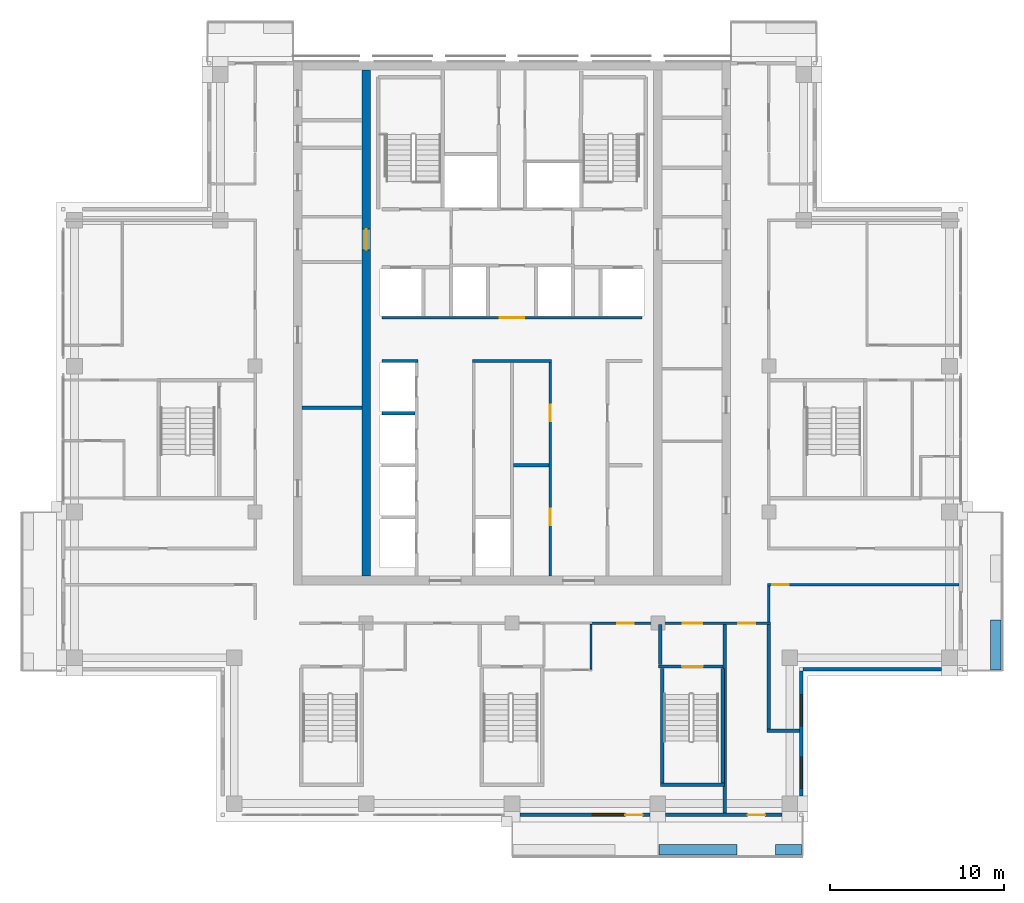
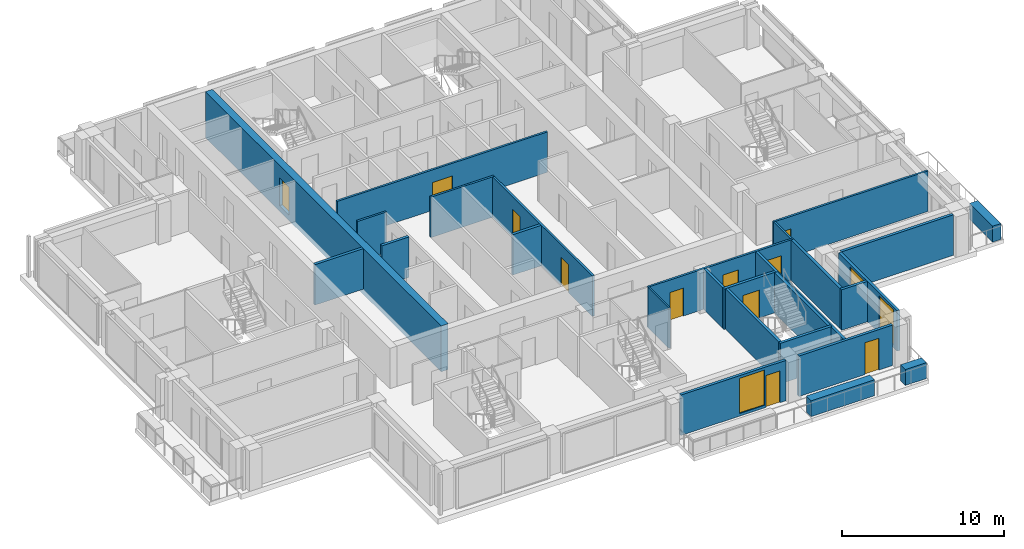
# One storey, part 10 of 17: 27 walls, 11 doors, 3 windows, 14 openings.
"""IFC4 building model written with IfcOpenShell, lengths in metres."""

from ifc_helpers import new_model, si_unit, direction, frame, frame_2d, origin, place, context, subcontext, project, spatial, rectangle, extrude, material, layer, layer_set, type_object, element, fill, save


model = new_model("IFC4")

# Units and contexts
model_context = context("Model", 3, precision=1e-05, world=origin(), true_north=direction((0.0, 1.0)))
body_context = subcontext(model_context, "Body", "Model", "MODEL_VIEW")
ifc_project = project(units=[si_unit("LENGTHUNIT", "METRE"), si_unit("AREAUNIT", "SQUARE_METRE"), si_unit("VOLUMEUNIT", "CUBIC_METRE"), si_unit("PLANEANGLEUNIT", "RADIAN"), si_unit("MASSUNIT", "GRAM", prefix="KILO")], contexts=[model_context])

# Site, building, storey
site_placement = place(None, origin())
site = spatial("IfcSite", under=ifc_project, at=site_placement, CompositionType="ELEMENT")
building_placement = place(site_placement, origin())
building = spatial("IfcBuilding", under=site, at=building_placement, Name="Vermilion Ogive Tower", CompositionType="ELEMENT")
storey_placement = place(building_placement, frame((0.0, 0.0, 257.949951171875)))
storey = spatial("IfcBuildingStorey", under=building, at=storey_placement, Name="L68", CompositionType="ELEMENT", Elevation=257.949951171875)

# Wall, opening, door
ifc_material_1 = material(Name="Concrete B60", Category="concrete")
ifc_layer_1 = layer(ifc_material_1, 0.5)
ifc_layer_set_1 = layer_set([ifc_layer_1], Name="Core wall 500 B60")
wall_type_1 = type_object("IfcWallType", Name="Core wall 500 B60", PredefinedType="SHEAR", material=ifc_layer_set_1)
wall_1_placement = place(storey_placement, frame((-8.39990234375, -7.89990234375, -0.39990234375), z_axis=(0.0, 0.0, 1.0), x_axis=(0.0, 1.0, 0.0)))
wall_1 = element("IfcWall", 1, at=wall_1_placement, inside=storey, type_object=wall_type_1, Name="L68-CORE-WEB1", PredefinedType="SHEAR", context=body_context, shape_type="SweptSolid", body=[
    extrude(rectangle(XDim=29.14990234375, YDim=0.5, at=frame_2d((14.574951171875, 0.0))), origin(), (0.0, 0.0, 1.0), 3.449951171875),
])
opening_1_placement = place(wall_1_placement, frame((18.800048828125, 0.0, 0.39990234375)))
opening_1 = element("IfcOpeningElement", 2, at=opening_1_placement, cuts=wall_1, Name="Opening DAP023", PredefinedType="OPENING", context=body_context, shape_type="SweptSolid", body=[
    extrude(rectangle(XDim=1.199951171875, YDim=2.10009765625, at=frame_2d((0.60009765625, 1.050048828125))), frame((0.0, 0.260009765625, 0.0), z_axis=(0.0, -1.0, 0.0), x_axis=(1.0, 0.0, 0.0)), (0.0, 0.0, 1.0), 0.52001953125),
])
ifc_material_2 = material(Name="Timber door leaf", Category="wood")
door_type_1 = type_object("IfcDoorType", Name="Link door 1200 x 2100 FD60S", OperationType="SINGLE_SWING_LEFT", PredefinedType="DOOR", material=ifc_material_2)
door_1_placement = place(opening_1_placement, origin())
door_1 = element("IfcDoor", 3, at=door_1_placement, inside=storey, type_object=door_type_1, Name="L68-CKW-XW", OperationType="SINGLE_SWING_LEFT", OverallHeight=2.10009765625, OverallWidth=1.199951171875, PredefinedType="DOOR", context=body_context, shape_type="SweptSolid", body=[
    extrude(rectangle(XDim=1.199951171875, YDim=2.10009765625, at=frame_2d((0.60009765625, 1.050048828125))), frame((0.0, 0.02490234375, 0.0), z_axis=(0.0, -1.0, 0.0), x_axis=(1.0, 0.0, 0.0)), (0.0, 0.0, 1.0), 0.050048828125),
])
fill(opening_1, door_1)

# Wall
ifc_material_3 = material(Name="Gypsum board partition on steel studs", Category="steel")
ifc_layer_2 = layer(ifc_material_3, 0.10009765625)
ifc_layer_set_2 = layer_set([ifc_layer_2], Name="Partition 100 bath")
wall_type_2 = type_object("IfcWallType", Name="Partition 100 bath", PredefinedType="PARTITIONING", material=ifc_layer_set_2)
wall_2_placement = place(storey_placement, frame((4.550048828125, -13.248046875, 0.0), z_axis=(0.0, 0.0, 1.0), x_axis=(0.0, 1.0, 0.0)))
element("IfcWall", 4, at=wall_2_placement, inside=storey, type_object=wall_type_2, Name="L68-W-W052", PredefinedType="PARTITIONING", context=body_context, shape_type="SweptSolid", body=[
    extrude(rectangle(XDim=2.572998046875, YDim=0.10009765625, at=frame_2d((1.28662109375, 0.0))), origin(), (0.0, 0.0, 1.0), 3.050048828125),
])

# Wall, openings, doors
ifc_material_4 = material(Name="Gypsum board partition on steel studs", Category="steel")
ifc_layer_3 = layer(ifc_material_4, 0.14990234375)
ifc_layer_set_3 = layer_set([ifc_layer_3], Name="Partition 150 corridor")
wall_type_3 = type_object("IfcWallType", Name="Partition 150 corridor", PredefinedType="PARTITIONING", material=ifc_layer_set_3)
wall_3_placement = place(storey_placement, frame((4.5, -10.60009765625, 0.0), z_axis=(0.0, 0.0, 1.0), x_axis=(1.0, 0.0, 0.0)))
wall_3 = element("IfcWall", 5, at=wall_3_placement, inside=storey, type_object=wall_type_3, Name="L68-W-W012", PredefinedType="PARTITIONING", context=body_context, shape_type="SweptSolid", body=[
    extrude(rectangle(XDim=10.39990234375, YDim=0.14990234375, at=frame_2d((5.199951171875, 0.0))), origin(), (0.0, 0.0, 1.0), 3.050048828125),
])
opening_2_placement = place(wall_3_placement, frame((1.574951171875, 0.0, 0.0)))
opening_2 = element("IfcOpeningElement", 6, at=opening_2_placement, cuts=wall_3, Name="Opening D5G5011", PredefinedType="OPENING", context=body_context, shape_type="SweptSolid", body=[
    extrude(rectangle(XDim=0.949951171875, YDim=2.10009765625, at=frame_2d((0.47509765625, 1.050048828125))), frame((0.0, 0.0849609375, 0.0), z_axis=(0.0, -1.0, 0.0), x_axis=(1.0, 0.0, 0.0)), (0.0, 0.0, 1.0), 0.169921875),
])
opening_3_placement = place(wall_3_placement, frame((5.35009765625, 0.0, 0.0)))
opening_3 = element("IfcOpeningElement", 7, at=opening_3_placement, cuts=wall_3, Name="Opening D5G5025", PredefinedType="OPENING", context=body_context, shape_type="SweptSolid", body=[
    extrude(rectangle(XDim=1.10009765625, YDim=2.10009765625, at=frame_2d((0.550048828125, 1.050048828125))), frame((0.0, 0.0849609375, 0.0), z_axis=(0.0, -1.0, 0.0), x_axis=(1.0, 0.0, 0.0)), (0.0, 0.0, 1.0), 0.169921875),
])
opening_4_placement = place(wall_3_placement, frame((8.52490234375, 0.0, 0.0)))
opening_4 = element("IfcOpeningElement", 8, at=opening_4_placement, cuts=wall_3, Name="Opening D5G5031", PredefinedType="OPENING", context=body_context, shape_type="SweptSolid", body=[
    extrude(rectangle(XDim=1.0, YDim=2.10009765625, at=frame_2d((0.5, 1.050048828125))), frame((0.0, 0.0849609375, 0.0), z_axis=(0.0, -1.0, 0.0), x_axis=(1.0, 0.0, 0.0)), (0.0, 0.0, 1.0), 0.169921875),
])
ifc_material_5 = material(Name="Timber door leaf", Category="wood")
door_type_2 = type_object("IfcDoorType", Name="Stair door 1100 x 2100 FD60S", OperationType="SINGLE_SWING_LEFT", PredefinedType="DOOR", material=ifc_material_5)
door_2_placement = place(opening_3_placement, origin())
door_2 = element("IfcDoor", 9, at=door_2_placement, inside=storey, type_object=door_type_2, Name="L68-D-D025", OperationType="SINGLE_SWING_LEFT", OverallHeight=2.10009765625, OverallWidth=1.10009765625, PredefinedType="DOOR", context=body_context, shape_type="SweptSolid", body=[
    extrude(rectangle(XDim=1.10009765625, YDim=2.10009765625, at=frame_2d((0.550048828125, 1.050048828125))), frame((0.0, 0.02490234375, 0.0), z_axis=(0.0, -1.0, 0.0), x_axis=(1.0, 0.0, 0.0)), (0.0, 0.0, 1.0), 0.050048828125),
])
fill(opening_3, door_2)
ifc_material_6 = material(Name="Timber door leaf", Category="wood")
door_type_3 = type_object("IfcDoorType", Name="Unit door 1000 x 2100 FD30S", OperationType="SINGLE_SWING_LEFT", PredefinedType="DOOR", material=ifc_material_6)
door_3_placement = place(opening_4_placement, origin())
door_3 = element("IfcDoor", 10, at=door_3_placement, inside=storey, type_object=door_type_3, Name="L68-D-D031", OperationType="SINGLE_SWING_LEFT", OverallHeight=2.10009765625, OverallWidth=1.0, PredefinedType="DOOR", context=body_context, shape_type="SweptSolid", body=[
    extrude(rectangle(XDim=1.0, YDim=2.10009765625, at=frame_2d((0.5, 1.050048828125))), frame((0.0, 0.02490234375, 0.0), z_axis=(0.0, -1.0, 0.0), x_axis=(1.0, 0.0, 0.0)), (0.0, 0.0, 1.0), 0.050048828125),
])
fill(opening_4, door_3)
ifc_material_7 = material(Name="Timber door leaf", Category="wood")
door_type_4 = type_object("IfcDoorType", Name="Unit door 950 x 2100 FD30S", OperationType="SINGLE_SWING_LEFT", PredefinedType="DOOR", material=ifc_material_7)
door_4_placement = place(opening_2_placement, origin())
door_4 = element("IfcDoor", 11, at=door_4_placement, inside=storey, type_object=door_type_4, Name="L68-D-D011", OperationType="SINGLE_SWING_LEFT", OverallHeight=2.10009765625, OverallWidth=0.949951171875, PredefinedType="DOOR", context=body_context, shape_type="SweptSolid", body=[
    extrude(rectangle(XDim=0.949951171875, YDim=2.10009765625, at=frame_2d((0.47509765625, 1.050048828125))), frame((0.0, 0.02490234375, 0.0), z_axis=(0.0, -1.0, 0.0), x_axis=(1.0, 0.0, 0.0)), (0.0, 0.0, 1.0), 0.050048828125),
])
fill(opening_2, door_4)

# Wall, opening, door
wall_4_placement = place(storey_placement, frame((14.72509765625, -8.39990234375, 0.0), z_axis=(0.0, 0.0, 1.0), x_axis=(1.0, 0.0, 0.0)))
wall_4 = element("IfcWall", 12, at=wall_4_placement, inside=storey, type_object=wall_type_3, Name="L68-W-W015", PredefinedType="PARTITIONING", context=body_context, shape_type="SweptSolid", body=[
    extrude(rectangle(XDim=11.02490234375, YDim=0.14990234375, at=frame_2d((5.512451171875, 0.0))), origin(), (0.0, 0.0, 1.0), 3.050048828125),
])
opening_5_placement = place(wall_4_placement, frame((0.27490234375, 0.0, 0.0)))
opening_5 = element("IfcOpeningElement", 13, at=opening_5_placement, cuts=wall_4, Name="Opening D5G5013", PredefinedType="OPENING", context=body_context, shape_type="SweptSolid", body=[
    extrude(rectangle(XDim=0.949951171875, YDim=2.10009765625, at=frame_2d((0.47509765625, 1.050048828125))), frame((0.0, 0.0849609375, 0.0), z_axis=(0.0, -1.0, 0.0), x_axis=(1.0, 0.0, 0.0)), (0.0, 0.0, 1.0), 0.169921875),
])
door_5_placement = place(opening_5_placement, origin())
door_5 = element("IfcDoor", 14, at=door_5_placement, inside=storey, type_object=door_type_4, Name="L68-D-D013", OperationType="SINGLE_SWING_RIGHT", OverallHeight=2.10009765625, OverallWidth=0.949951171875, PredefinedType="DOOR", context=body_context, shape_type="SweptSolid", body=[
    extrude(rectangle(XDim=0.949951171875, YDim=2.10009765625, at=frame_2d((0.47509765625, 1.050048828125))), frame((0.0, 0.02490234375, 0.0), z_axis=(0.0, -1.0, 0.0), x_axis=(1.0, 0.0, 0.0)), (0.0, 0.0, 1.0), 0.050048828125),
])
fill(opening_5, door_5)

# Walls
wall_5_placement = place(storey_placement, frame((14.800048828125, -10.52490234375, 0.0), z_axis=(0.0, 0.0, 1.0), x_axis=(0.0, 1.0, 0.0)))
element("IfcWall", 15, at=wall_5_placement, inside=storey, type_object=wall_type_3, Name="L68-W-W058", PredefinedType="PARTITIONING", context=body_context, shape_type="SweptSolid", body=[
    extrude(rectangle(XDim=2.0498046875, YDim=0.14990234375, at=frame_2d((1.02490234375, 0.0))), origin(), (0.0, 0.0, 1.0), 3.050048828125),
])
wall_6_placement = place(storey_placement, frame((-7.5, 4.5, 0.0), z_axis=(0.0, 0.0, 1.0), x_axis=(1.0, 0.0, 0.0)))
element("IfcWall", 16, at=wall_6_placement, inside=storey, type_object=wall_type_3, Name="L68-CK-W-W007", PredefinedType="PARTITIONING", context=body_context, shape_type="SweptSolid", body=[
    extrude(rectangle(XDim=2.074951171875, YDim=0.14990234375, at=frame_2d((1.03759765625, 0.0))), origin(), (0.0, 0.0, 1.0), 3.050048828125),
])
wall_7_placement = place(storey_placement, frame((-2.27490234375, 4.5, 0.0), z_axis=(0.0, 0.0, 1.0), x_axis=(1.0, 0.0, 0.0)))
element("IfcWall", 17, at=wall_7_placement, inside=storey, type_object=wall_type_3, Name="L68-CK-W-W008", PredefinedType="PARTITIONING", context=body_context, shape_type="SweptSolid", body=[
    extrude(rectangle(XDim=4.5498046875, YDim=0.14990234375, at=frame_2d((2.27490234375, 0.0))), origin(), (0.0, 0.0, 1.0), 3.050048828125),
])

# Wall, opening, door
wall_8_placement = place(storey_placement, frame((-7.5, 7.0, 0.0), z_axis=(0.0, 0.0, 1.0), x_axis=(1.0, 0.0, 0.0)))
wall_8 = element("IfcWall", 18, at=wall_8_placement, inside=storey, type_object=wall_type_3, Name="L68-CK-W-W010", PredefinedType="PARTITIONING", context=body_context, shape_type="SweptSolid", body=[
    extrude(rectangle(XDim=15.0, YDim=0.14990234375, at=frame_2d((7.5, 0.0))), origin(), (0.0, 0.0, 1.0), 3.050048828125),
])
opening_6_placement = place(wall_8_placement, frame((6.800048828125, 0.0, 0.0)))
opening_6 = element("IfcOpeningElement", 19, at=opening_6_placement, cuts=wall_8, Name="Opening DAA635", PredefinedType="OPENING", context=body_context, shape_type="SweptSolid", body=[
    extrude(rectangle(XDim=1.39990234375, YDim=2.10009765625, at=frame_2d((0.699951171875, 1.050048828125))), frame((0.0, 0.0849609375, 0.0), z_axis=(0.0, -1.0, 0.0), x_axis=(1.0, 0.0, 0.0)), (0.0, 0.0, 1.0), 0.169921875),
])
ifc_material_8 = material(Name="Timber door leaf", Category="wood")
door_type_5 = type_object("IfcDoorType", Name="Lobby door 1400 x 2100 FD60S", OperationType="SINGLE_SWING_LEFT", PredefinedType="DOOR", material=ifc_material_8)
door_6_placement = place(opening_6_placement, origin())
door_6 = element("IfcDoor", 20, at=door_6_placement, inside=storey, type_object=door_type_5, Name="L68-CK-D-D015", OperationType="SINGLE_SWING_RIGHT", OverallHeight=2.10009765625, OverallWidth=1.39990234375, PredefinedType="DOOR", context=body_context, shape_type="SweptSolid", body=[
    extrude(rectangle(XDim=1.39990234375, YDim=2.10009765625, at=frame_2d((0.699951171875, 1.050048828125))), frame((0.0, 0.02490234375, 0.0), z_axis=(0.0, -1.0, 0.0), x_axis=(1.0, 0.0, 0.0)), (0.0, 0.0, 1.0), 0.050048828125),
])
fill(opening_6, door_6)

# Wall, openings, doors
wall_9_placement = place(storey_placement, frame((2.199951171875, -7.89892578125, 0.0), z_axis=(0.0, 0.0, 1.0), x_axis=(0.0, 1.0, 0.0)))
wall_9 = element("IfcWall", 21, at=wall_9_placement, inside=storey, type_object=wall_type_3, Name="L68-CK-W-W031", PredefinedType="PARTITIONING", context=body_context, shape_type="SweptSolid", body=[
    extrude(rectangle(XDim=12.323974609375, YDim=0.14990234375, at=frame_2d((6.162109375, 0.0))), origin(), (0.0, 0.0, 1.0), 3.050048828125),
])
opening_7_placement = place(wall_9_placement, frame((2.923828125, 0.0, 0.0)))
opening_7 = element("IfcOpeningElement", 22, at=opening_7_placement, cuts=wall_9, Name="Opening DAA639", PredefinedType="OPENING", context=body_context, shape_type="SweptSolid", body=[
    extrude(rectangle(XDim=0.949951171875, YDim=2.10009765625, at=frame_2d((0.47509765625, 1.050048828125))), frame((0.0, 0.0849609375, 0.0), z_axis=(0.0, -1.0, 0.0), x_axis=(1.0, 0.0, 0.0)), (0.0, 0.0, 1.0), 0.169921875),
])
opening_8_placement = place(wall_9_placement, frame((8.923828125, 0.0, 0.0)))
opening_8 = element("IfcOpeningElement", 23, at=opening_8_placement, cuts=wall_9, Name="Opening DAA640", PredefinedType="OPENING", context=body_context, shape_type="SweptSolid", body=[
    extrude(rectangle(XDim=0.949951171875, YDim=2.10009765625, at=frame_2d((0.47509765625, 1.050048828125))), frame((0.0, 0.0849609375, 0.0), z_axis=(0.0, -1.0, 0.0), x_axis=(1.0, 0.0, 0.0)), (0.0, 0.0, 1.0), 0.169921875),
])
ifc_material_9 = material(Name="Timber door leaf", Category="wood")
door_type_6 = type_object("IfcDoorType", Name="Service door 950 x 2100 FD60", OperationType="SINGLE_SWING_LEFT", PredefinedType="DOOR", material=ifc_material_9)
door_7_placement = place(opening_7_placement, origin())
door_7 = element("IfcDoor", 24, at=door_7_placement, inside=storey, type_object=door_type_6, Name="L68-CK-D-D007", OperationType="SINGLE_SWING_RIGHT", OverallHeight=2.10009765625, OverallWidth=0.949951171875, PredefinedType="DOOR", context=body_context, shape_type="SweptSolid", body=[
    extrude(rectangle(XDim=0.949951171875, YDim=2.10009765625, at=frame_2d((0.47509765625, 1.050048828125))), frame((0.0, 0.02490234375, 0.0), z_axis=(0.0, -1.0, 0.0), x_axis=(1.0, 0.0, 0.0)), (0.0, 0.0, 1.0), 0.050048828125),
])
fill(opening_7, door_7)
door_8_placement = place(opening_8_placement, origin())
door_8 = element("IfcDoor", 25, at=door_8_placement, inside=storey, type_object=door_type_6, Name="L68-CK-D-D008", OperationType="SINGLE_SWING_RIGHT", OverallHeight=2.10009765625, OverallWidth=0.949951171875, PredefinedType="DOOR", context=body_context, shape_type="SweptSolid", body=[
    extrude(rectangle(XDim=0.949951171875, YDim=2.10009765625, at=frame_2d((0.47509765625, 1.050048828125))), frame((0.0, 0.02490234375, 0.0), z_axis=(0.0, -1.0, 0.0), x_axis=(1.0, 0.0, 0.0)), (0.0, 0.0, 1.0), 0.050048828125),
])
fill(opening_8, door_8)

# Walls
ifc_material_10 = material(Name="Gypsum board partition on steel studs", Category="steel")
ifc_layer_4 = layer(ifc_material_10, 0.199951171875)
ifc_layer_set_4 = layer_set([ifc_layer_4], Name="Partition 200 party")
wall_type_4 = type_object("IfcWallType", Name="Partition 200 party", PredefinedType="PARTITIONING", material=ifc_layer_set_4)
wall_10_placement = place(storey_placement, frame((14.701904296875, -16.800048828125, 0.0), z_axis=(0.0, 0.0, 1.0), x_axis=(1.0, 0.0, 0.0)))
element("IfcWall", 26, at=wall_10_placement, inside=storey, type_object=wall_type_4, Name="L68-W-W002", PredefinedType="PARTITIONING", context=body_context, shape_type="SweptSolid", body=[
    extrude(rectangle(XDim=1.84814453125, YDim=0.199951171875, at=frame_2d((0.924072265625, 0.0))), origin(), (0.0, 0.0, 1.0), 3.050048828125),
])
wall_11_placement = place(storey_placement, frame((8.550048828125, -12.998046875, 0.0), z_axis=(0.0, 0.0, 1.0), x_axis=(0.0, 1.0, 0.0)))
element("IfcWall", 27, at=wall_11_placement, inside=storey, type_object=wall_type_4, Name="L68-W-W053", PredefinedType="PARTITIONING", context=body_context, shape_type="SweptSolid", body=[
    extrude(rectangle(XDim=2.322998046875, YDim=0.199951171875, at=frame_2d((1.16162109375, 0.0))), origin(), (0.0, 0.0, 1.0), 3.050048828125),
])
wall_12_placement = place(storey_placement, frame((14.800048828125, -16.697998046875, 0.0), z_axis=(0.0, 0.0, 1.0), x_axis=(0.0, 1.0, 0.0)))
element("IfcWall", 28, at=wall_12_placement, inside=storey, type_object=wall_type_4, Name="L68-W-W057", PredefinedType="PARTITIONING", context=body_context, shape_type="SweptSolid", body=[
    extrude(rectangle(XDim=6.02294921875, YDim=0.199951171875, at=frame_2d((3.011474609375, 0.0))), origin(), (0.0, 0.0, 1.0), 3.050048828125),
])
wall_13_placement = place(storey_placement, frame((0.10009765625, -1.5, 0.0), z_axis=(0.0, 0.0, 1.0), x_axis=(1.0, 0.0, 0.0)))
element("IfcWall", 29, at=wall_13_placement, inside=storey, type_object=wall_type_4, Name="L68-CK-W-W004", PredefinedType="PARTITIONING", context=body_context, shape_type="SweptSolid", body=[
    extrude(rectangle(XDim=2.02490234375, YDim=0.199951171875, at=frame_2d((1.012451171875, 0.0))), origin(), (0.0, 0.0, 1.0), 3.050048828125),
])
wall_14_placement = place(storey_placement, frame((-7.5, 1.5, 0.0), z_axis=(0.0, 0.0, 1.0), x_axis=(1.0, 0.0, 0.0)))
element("IfcWall", 30, at=wall_14_placement, inside=storey, type_object=wall_type_4, Name="L68-CK-W-W006", PredefinedType="PARTITIONING", context=body_context, shape_type="SweptSolid", body=[
    extrude(rectangle(XDim=1.925048828125, YDim=0.199951171875, at=frame_2d((0.96240234375, 0.0))), origin(), (0.0, 0.0, 1.0), 3.050048828125),
])
wall_15_placement = place(storey_placement, frame((-12.09912109375, 1.81591796875, 0.0), z_axis=(0.0, 0.0, 1.0), x_axis=(1.0, 0.0, 0.0)))
element("IfcWall", 31, at=wall_15_placement, inside=storey, type_object=wall_type_4, Name="L68-CKW-W-W001", PredefinedType="PARTITIONING", context=body_context, shape_type="SweptSolid", body=[
    extrude(rectangle(XDim=3.4482421875, YDim=0.199951171875, at=frame_2d((1.72412109375, 0.0))), origin(), (0.0, 0.0, 1.0), 3.050048828125),
])
ifc_material_11 = material(Name="Concrete B60", Category="concrete")
ifc_layer_5 = layer(ifc_material_11, 0.199951171875)
ifc_layer_set_5 = layer_set([ifc_layer_5], Name="Stair shaft wall 200 Concrete B60")
wall_type_5 = type_object("IfcWallType", Name="Stair shaft wall 200 Concrete B60", PredefinedType="SOLIDWALL", material=ifc_layer_set_5)
wall_16_placement = place(storey_placement, frame((8.552001953125, -19.89990234375, 0.0), z_axis=(0.0, 0.0, 1.0), x_axis=(1.0, 0.0, 0.0)))
element("IfcWall", 32, at=wall_16_placement, inside=storey, type_object=wall_type_5, Name="L68-W-W001", PredefinedType="SOLIDWALL", context=body_context, shape_type="SweptSolid", body=[
    extrude(rectangle(XDim=3.696044921875, YDim=0.199951171875, at=frame_2d((1.84814453125, 0.0))), origin(), (0.0, 0.0, 1.0), 3.050048828125),
])

# Wall, opening, door
wall_17_placement = place(storey_placement, frame((8.451904296875, -13.10009765625, 0.0), z_axis=(0.0, 0.0, 1.0), x_axis=(1.0, 0.0, 0.0)))
wall_17 = element("IfcWall", 33, at=wall_17_placement, inside=storey, type_object=wall_type_5, Name="L68-W-W007", PredefinedType="SOLIDWALL", context=body_context, shape_type="SweptSolid", body=[
    extrude(rectangle(XDim=3.696044921875, YDim=0.199951171875, at=frame_2d((1.84814453125, 0.0))), origin(), (0.0, 0.0, 1.0), 3.050048828125),
])
opening_9_placement = place(wall_17_placement, frame((1.34814453125, 0.0, 0.0)))
opening_9 = element("IfcOpeningElement", 34, at=opening_9_placement, cuts=wall_17, Name="Opening D5G5026", PredefinedType="OPENING", context=body_context, shape_type="SweptSolid", body=[
    extrude(rectangle(XDim=1.199951171875, YDim=2.10009765625, at=frame_2d((0.60009765625, 1.050048828125))), frame((0.0, 0.10986328125, 0.0), z_axis=(0.0, -1.0, 0.0), x_axis=(1.0, 0.0, 0.0)), (0.0, 0.0, 1.0), 0.219970703125),
])
ifc_material_12 = material(Name="Timber door leaf", Category="wood")
door_type_7 = type_object("IfcDoorType", Name="Stair door 1200 x 2100 FD60S", OperationType="SINGLE_SWING_LEFT", PredefinedType="DOOR", material=ifc_material_12)
door_9_placement = place(opening_9_placement, origin())
door_9 = element("IfcDoor", 35, at=door_9_placement, inside=storey, type_object=door_type_7, Name="L68-D-D026", OperationType="SINGLE_SWING_RIGHT", OverallHeight=2.10009765625, OverallWidth=1.199951171875, PredefinedType="DOOR", context=body_context, shape_type="SweptSolid", body=[
    extrude(rectangle(XDim=1.199951171875, YDim=2.10009765625, at=frame_2d((0.60009765625, 1.050048828125))), frame((0.0, 0.02490234375, 0.0), z_axis=(0.0, -1.0, 0.0), x_axis=(1.0, 0.0, 0.0)), (0.0, 0.0, 1.0), 0.050048828125),
])
fill(opening_9, door_9)

# Walls
for number, where, z_axis, x_axis, name in (
    (36, (8.64990234375, -19.798095703125, 0.0), (0.0, 0.0, 1.0), (0.0, 1.0, 0.0), "L68-W-W054"),
    (37, (12.14990234375, -19.798095703125, 0.0), (0.0, 0.0, 1.0), (0.0, 1.0, 0.0), "L68-W-W055"),
):
    element("IfcWall", number, at=place(storey_placement, frame(where, z_axis=z_axis, x_axis=x_axis)), inside=storey, type_object=wall_type_5, Name=name, PredefinedType="SOLIDWALL", context=body_context, shape_type="SweptSolid", body=[
        extrude(rectangle(XDim=6.59619140625, YDim=0.199951171875, at=frame_2d((3.298095703125, 0.0))), origin(), (0.0, 0.0, 1.0), 3.050048828125),
    ])
wall_18_placement = place(storey_placement, frame((12.25, -21.550048828125, 0.0), z_axis=(0.0, 0.0, 1.0), x_axis=(0.0, 1.0, 0.0)))
element("IfcWall", 38, at=wall_18_placement, inside=storey, type_object=wall_type_5, Name="L68-W-W056-A", PredefinedType="SOLIDWALL", context=body_context, shape_type="SweptSolid", body=[
    extrude(rectangle(XDim=10.875, YDim=0.199951171875, at=frame_2d((5.4375, 0.0))), origin(), (0.0, 0.0, 1.0), 3.050048828125),
])
ifc_material_13 = material(Name="Concrete B40", Category="concrete")
ifc_layer_6 = layer(ifc_material_13, 0.60009765625)
ifc_layer_set_6 = layer_set([ifc_layer_6], Name="Structural planter")
wall_type_6 = type_object("IfcWallType", Name="Structural planter", PredefinedType="USERDEFINED", material=ifc_layer_set_6)
wall_19_placement = place(storey_placement, frame((8.4599609375, -23.660888671875, -0.0400390625), z_axis=(0.0, 0.0, 1.0), x_axis=(1.0, 0.0, 0.0)))
element("IfcWall", 39, at=wall_19_placement, inside=storey, type_object=wall_type_6, Name="Planter S04A1", ObjectType="PLANTER", PredefinedType="USERDEFINED", context=body_context, shape_type="SweptSolid", body=[
    extrude(rectangle(XDim=4.51513671875, YDim=0.60009765625, at=frame_2d((2.257568359375, 0.0))), origin(), (0.0, 0.0, 1.0), 1.2001953125),
])
wall_20_placement = place(storey_placement, frame((15.175048828125, -23.660888671875, -0.0400390625), z_axis=(0.0, 0.0, 1.0), x_axis=(1.0, 0.0, 0.0)))
element("IfcWall", 40, at=wall_20_placement, inside=storey, type_object=wall_type_6, Name="Planter S04A2", ObjectType="PLANTER", PredefinedType="USERDEFINED", context=body_context, shape_type="SweptSolid", body=[
    extrude(rectangle(XDim=1.514892578125, YDim=0.60009765625, at=frame_2d((0.75732421875, 0.0))), origin(), (0.0, 0.0, 1.0), 1.2001953125),
])
wall_21_placement = place(storey_placement, frame((27.86083984375, -13.2900390625, -0.0400390625), z_axis=(0.0, 0.0, 1.0), x_axis=(0.0, 1.0, 0.0)))
element("IfcWall", 41, at=wall_21_placement, inside=storey, type_object=wall_type_6, Name="Planter E01A1", ObjectType="PLANTER", PredefinedType="USERDEFINED", context=body_context, shape_type="SweptSolid", body=[
    extrude(rectangle(XDim=2.864990234375, YDim=0.60009765625, at=frame_2d((1.4326171875, 0.0))), origin(), (0.0, 0.0, 1.0), 1.2001953125),
])

# Wall, openings, door, window
ifc_material_14 = material(Name="Aluminium window wall framing", Category="aluminium")
ifc_layer_7 = layer(ifc_material_14, 0.199951171875)
ifc_layer_set_7 = layer_set([ifc_layer_7], Name="Window wall")
wall_type_7 = type_object("IfcWallType", Name="Window wall", PredefinedType="STANDARD", material=ifc_layer_set_7)
wall_22_placement = place(storey_placement, frame((0.449951171875, -21.64990234375, 0.0), z_axis=(0.0, 0.0, 1.0), x_axis=(1.0, 0.0, 0.0)))
wall_22 = element("IfcWall", 42, at=wall_22_placement, inside=storey, type_object=wall_type_7, Name="Window wall S3", PredefinedType="STANDARD", context=body_context, shape_type="SweptSolid", body=[
    extrude(rectangle(XDim=7.5, YDim=0.199951171875, at=frame_2d((3.75, 0.0))), origin(), (0.0, 0.0, 1.0), 3.050048828125),
])
opening_10_placement = place(wall_22_placement, frame((4.175048828125, 0.0, 0.199951171875)))
opening_10 = element("IfcOpeningElement", 43, at=opening_10_placement, cuts=wall_22, Name="Opening W1-S01", PredefinedType="OPENING", context=body_context, shape_type="SweptSolid", body=[
    extrude(rectangle(XDim=1.800048828125, YDim=2.64990234375, at=frame_2d((0.89990234375, 1.324951171875))), frame((0.0, 0.10986328125, 0.0), z_axis=(0.0, -1.0, 0.0), x_axis=(1.0, 0.0, 0.0)), (0.0, 0.0, 1.0), 0.219970703125),
])
opening_11_placement = place(wall_22_placement, frame((6.074951171875, 0.0, 0.0)))
opening_11 = element("IfcOpeningElement", 44, at=opening_11_placement, cuts=wall_22, Name="Opening D1-S01", PredefinedType="OPENING", context=body_context, shape_type="SweptSolid", body=[
    extrude(rectangle(XDim=1.0, YDim=2.39990234375, at=frame_2d((0.5, 1.199951171875))), frame((0.0, 0.10986328125, 0.0), z_axis=(0.0, -1.0, 0.0), x_axis=(1.0, 0.0, 0.0)), (0.0, 0.0, 1.0), 0.219970703125),
])
ifc_material_15 = material(Name="Aluminium framed glazed door", Category="aluminium")
door_type_8 = type_object("IfcDoorType", Name="Balcony door D1", OperationType="SINGLE_SWING_LEFT", PredefinedType="DOOR", material=ifc_material_15)
door_10_placement = place(opening_11_placement, origin())
door_10 = element("IfcDoor", 45, at=door_10_placement, inside=storey, type_object=door_type_8, Name="Balcony door S01", OperationType="SINGLE_SWING_LEFT", OverallHeight=2.39990234375, OverallWidth=1.0, PredefinedType="DOOR", context=body_context, shape_type="SweptSolid", body=[
    extrude(rectangle(XDim=1.0, YDim=2.39990234375, at=frame_2d((0.5, 1.199951171875))), frame((0.0, 0.02490234375, 0.0), z_axis=(0.0, -1.0, 0.0), x_axis=(1.0, 0.0, 0.0)), (0.0, 0.0, 1.0), 0.050048828125),
])
fill(opening_11, door_10)
ifc_material_16 = material(Name="Aluminium framed double glazing", Category="aluminium")
window_type = type_object("IfcWindowType", Name="Guest window W1", PartitioningType="SINGLE_PANEL", PredefinedType="WINDOW", material=ifc_material_16)
window_1_placement = place(opening_10_placement, origin())
window_1 = element("IfcWindow", 46, at=window_1_placement, inside=storey, type_object=window_type, Name="Window S01", OverallHeight=2.64990234375, OverallWidth=1.800048828125, PartitioningType="SINGLE_PANEL", PredefinedType="WINDOW", context=body_context, shape_type="SweptSolid", body=[
    extrude(rectangle(XDim=1.800048828125, YDim=2.64990234375, at=frame_2d((0.89990234375, 1.324951171875))), frame((0.0, 0.030029296875, 0.0), z_axis=(0.0, -1.0, 0.0), x_axis=(1.0, 0.0, 0.0)), (0.0, 0.0, 1.0), 0.06005859375),
])
fill(opening_10, window_1)

# Wall, opening, door
wall_23_placement = place(storey_placement, frame((8.85009765625, -21.64990234375, 0.0), z_axis=(0.0, 0.0, 1.0), x_axis=(1.0, 0.0, 0.0)))
wall_23 = element("IfcWall", 47, at=wall_23_placement, inside=storey, type_object=wall_type_7, Name="Window wall S4", PredefinedType="STANDARD", context=body_context, shape_type="SweptSolid", body=[
    extrude(rectangle(XDim=6.699951171875, YDim=0.199951171875, at=frame_2d((3.35009765625, 0.0))), origin(), (0.0, 0.0, 1.0), 3.050048828125),
])
opening_12_placement = place(wall_23_placement, frame((4.72509765625, 0.0, 0.0)))
opening_12 = element("IfcOpeningElement", 48, at=opening_12_placement, cuts=wall_23, Name="Opening D1-S03K", PredefinedType="OPENING", context=body_context, shape_type="SweptSolid", body=[
    extrude(rectangle(XDim=1.0, YDim=2.39990234375, at=frame_2d((0.5, 1.199951171875))), frame((0.0, 0.10986328125, 0.0), z_axis=(0.0, -1.0, 0.0), x_axis=(1.0, 0.0, 0.0)), (0.0, 0.0, 1.0), 0.219970703125),
])
door_11_placement = place(opening_12_placement, origin())
door_11 = element("IfcDoor", 49, at=door_11_placement, inside=storey, type_object=door_type_8, Name="Balcony door S03K", OperationType="SINGLE_SWING_LEFT", OverallHeight=2.39990234375, OverallWidth=1.0, PredefinedType="DOOR", context=body_context, shape_type="SweptSolid", body=[
    extrude(rectangle(XDim=1.0, YDim=2.39990234375, at=frame_2d((0.5, 1.199951171875))), frame((0.0, 0.02490234375, 0.0), z_axis=(0.0, -1.0, 0.0), x_axis=(1.0, 0.0, 0.0)), (0.0, 0.0, 1.0), 0.050048828125),
])
fill(opening_12, door_11)

# Wall, openings, windows
wall_24_placement = place(storey_placement, frame((16.64990234375, -20.550048828125, 0.0), z_axis=(0.0, 0.0, 1.0), x_axis=(0.0, 1.0, 0.0)))
wall_24 = element("IfcWall", 50, at=wall_24_placement, inside=storey, type_object=wall_type_7, Name="Window wall X11", PredefinedType="STANDARD", context=body_context, shape_type="SweptSolid", body=[
    extrude(rectangle(XDim=7.199951171875, YDim=0.199951171875, at=frame_2d((3.60009765625, 0.0))), origin(), (0.0, 0.0, 1.0), 3.050048828125),
])
opening_13_placement = place(wall_24_placement, frame((0.425048828125, 0.0, 0.199951171875)))
opening_13 = element("IfcOpeningElement", 51, at=opening_13_placement, cuts=wall_24, Name="Opening W1-X195", PredefinedType="OPENING", context=body_context, shape_type="SweptSolid", body=[
    extrude(rectangle(XDim=1.800048828125, YDim=2.64990234375, at=frame_2d((0.89990234375, 1.324951171875))), frame((0.0, 0.10986328125, 0.0), z_axis=(0.0, -1.0, 0.0), x_axis=(1.0, 0.0, 0.0)), (0.0, 0.0, 1.0), 0.219970703125),
])
opening_14_placement = place(wall_24_placement, frame((4.02490234375, 0.0, 0.199951171875)))
opening_14 = element("IfcOpeningElement", 52, at=opening_14_placement, cuts=wall_24, Name="Opening W1-X196", PredefinedType="OPENING", context=body_context, shape_type="SweptSolid", body=[
    extrude(rectangle(XDim=1.800048828125, YDim=2.64990234375, at=frame_2d((0.89990234375, 1.324951171875))), frame((0.0, 0.10986328125, 0.0), z_axis=(0.0, -1.0, 0.0), x_axis=(1.0, 0.0, 0.0)), (0.0, 0.0, 1.0), 0.219970703125),
])
window_2_placement = place(opening_13_placement, origin())
window_2 = element("IfcWindow", 53, at=window_2_placement, inside=storey, type_object=window_type, Name="Window X195", OverallHeight=2.64990234375, OverallWidth=1.800048828125, PartitioningType="SINGLE_PANEL", PredefinedType="WINDOW", context=body_context, shape_type="SweptSolid", body=[
    extrude(rectangle(XDim=1.800048828125, YDim=2.64990234375, at=frame_2d((0.89990234375, 1.324951171875))), frame((0.0, 0.030029296875, 0.0), z_axis=(0.0, -1.0, 0.0), x_axis=(1.0, 0.0, 0.0)), (0.0, 0.0, 1.0), 0.06005859375),
])
fill(opening_13, window_2)
window_3_placement = place(opening_14_placement, origin())
window_3 = element("IfcWindow", 54, at=window_3_placement, inside=storey, type_object=window_type, Name="Window X196", OverallHeight=2.64990234375, OverallWidth=1.800048828125, PartitioningType="SINGLE_PANEL", PredefinedType="WINDOW", context=body_context, shape_type="SweptSolid", body=[
    extrude(rectangle(XDim=1.800048828125, YDim=2.64990234375, at=frame_2d((0.89990234375, 1.324951171875))), frame((0.0, 0.030029296875, 0.0), z_axis=(0.0, -1.0, 0.0), x_axis=(1.0, 0.0, 0.0)), (0.0, 0.0, 1.0), 0.06005859375),
])
fill(opening_14, window_3)

# Wall
wall_25_placement = place(storey_placement, frame((16.75, -13.25, 0.0), z_axis=(0.0, 0.0, 1.0), x_axis=(1.0, 0.0, 0.0)))
element("IfcWall", 55, at=wall_25_placement, inside=storey, type_object=wall_type_7, Name="Window wall X21", PredefinedType="STANDARD", context=body_context, shape_type="SweptSolid", body=[
    extrude(rectangle(XDim=8.0, YDim=0.199951171875, at=frame_2d((4.0, 0.0))), origin(), (0.0, 0.0, 1.0), 3.050048828125),
])

save(model, "model.ifc")
